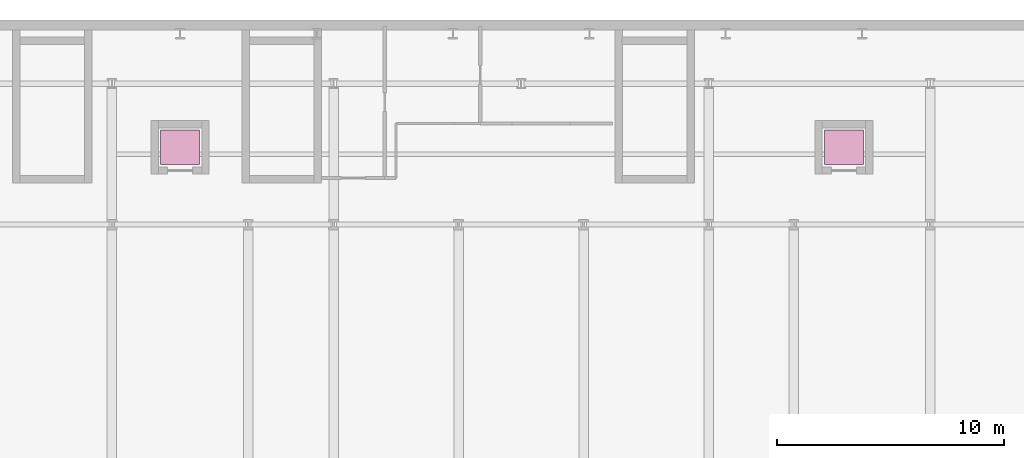
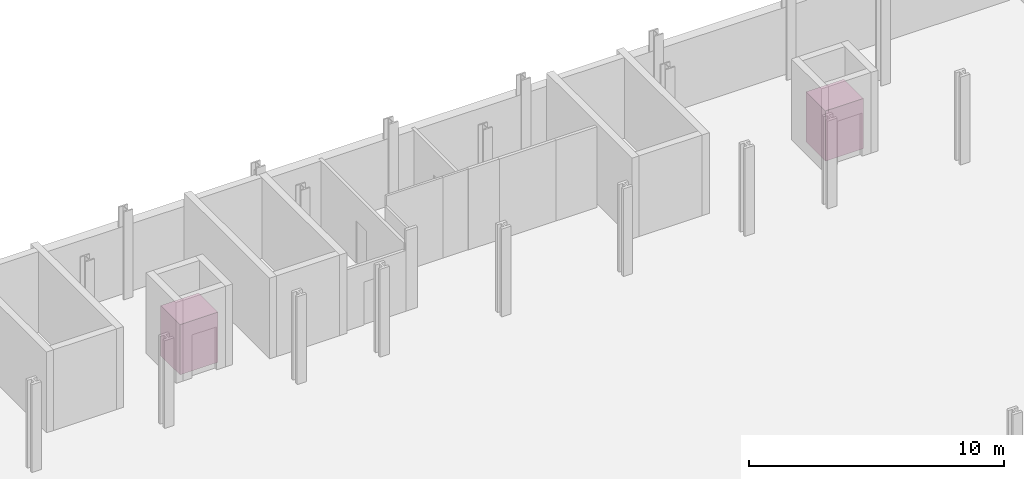
# One storey, part 12 of 12: 2 transport elements.
"""IFC4 building model written with IfcOpenShell, lengths in metres."""

from ifc_helpers import new_model, si_unit, direction, frame, origin, origin_2d, place, context, subcontext, project, spatial, rectangle, extrude, material, type_object, element, save


model = new_model("IFC4")

# Units and contexts
model_context = context("Model", 3, precision=1e-05, world=origin(), true_north=direction((0.0, 1.0)))
body_context = subcontext(model_context, "Body", "Model", "MODEL_VIEW")
ifc_project = project(units=[si_unit("LENGTHUNIT", "METRE"), si_unit("AREAUNIT", "SQUARE_METRE"), si_unit("VOLUMEUNIT", "CUBIC_METRE"), si_unit("PLANEANGLEUNIT", "RADIAN"), si_unit("MASSUNIT", "GRAM", prefix="KILO")], contexts=[model_context])

# Site, building, storey
site_placement = place(None, origin())
site = spatial("IfcSite", under=ifc_project, at=site_placement, CompositionType="ELEMENT")
building_placement = place(site_placement, origin())
building = spatial("IfcBuilding", under=site, at=building_placement, Name="Brevholm Reach", CompositionType="ELEMENT")
storey_placement = place(building_placement, frame((0.0, 0.0, -4.199951171875)))
storey = spatial("IfcBuildingStorey", under=building, at=storey_placement, Name="B01", CompositionType="ELEMENT", Elevation=-4.199951171875)

# Transport elements
ifc_material = material(Name="Brushed Satin Stainless Steel EN 1.4301 Lift Cab", Category="steel")
transport_element_type = type_object("IfcTransportElementType", Name="LFT-SCH-1275", PredefinedType="ELEVATOR", material=ifc_material)
for number, where, z_axis, x_axis, name in (
    (1, (15.0, 34.39990234375, 0.0), (0.0, 0.0, 1.0), (1.0, 0.0, 0.0), "School Passenger Lift SL-1"),
    (2, (44.199951171875, 34.39990234375, 0.0), (0.0, 0.0, 1.0), (1.0, 0.0, 0.0), "School Passenger Lift SL-2"),
):
    element("IfcTransportElement", number, at=place(storey_placement, frame(where, z_axis=z_axis, x_axis=x_axis)), inside=storey, type_object=transport_element_type, Name=name, PredefinedType="ELEVATOR", context=body_context, shape_type="SweptSolid", body=[
        extrude(rectangle(XDim=1.719970703125, YDim=1.52001953125, at=origin_2d()), origin(), (0.0, 0.0, 1.0), 2.39990234375),
    ])

save(model, "model.ifc")
